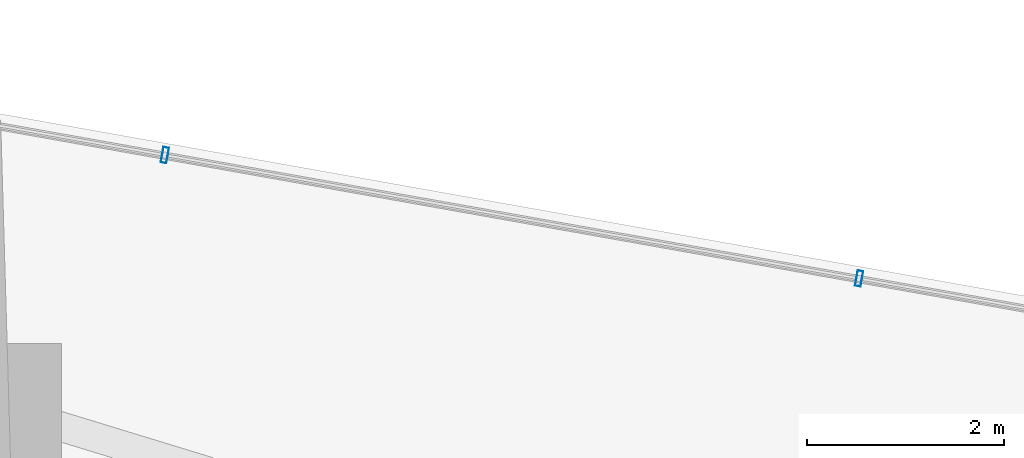
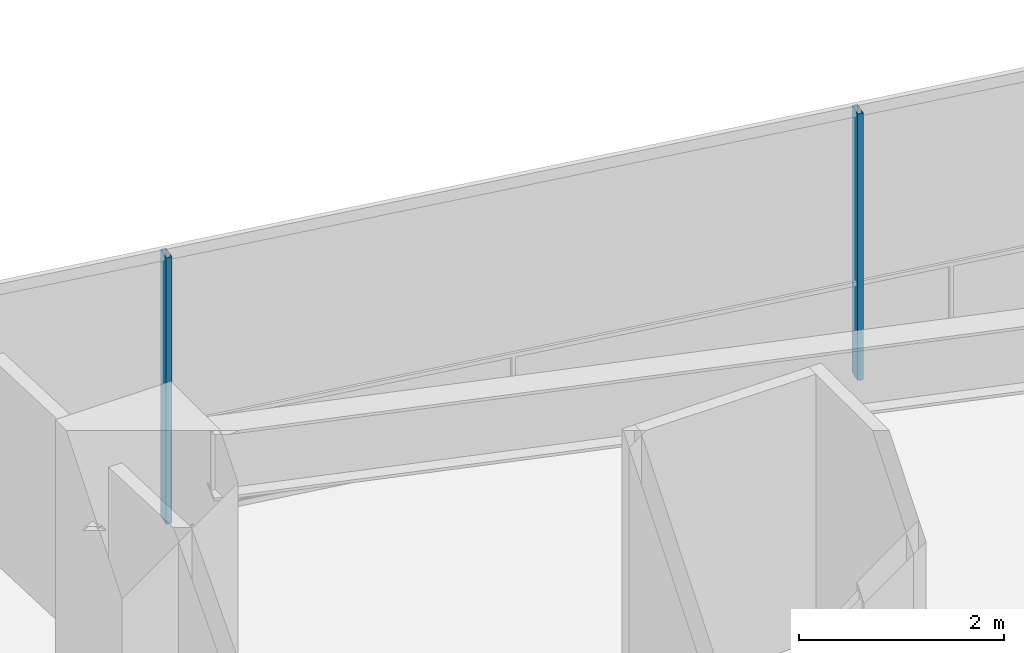
# One storey, part 23 of 33: 2 members, 1 element without a shape of its own.
"""IFC4 building model written with IfcOpenShell, lengths in metres."""

from ifc_helpers import new_model, si_unit, direction, frame, origin, origin_2d, place, context, subcontext, project, spatial, hollow_rectangle, extrude, material, layer, layer_set, material_profile, profile_set, type_object, element, aggregate, save


model = new_model("IFC4")

# Units and contexts
model_context = context("Model", 3, precision=1e-05, world=origin(), true_north=direction((0.0, 1.0)))
body_context = subcontext(model_context, "Body", "Model", "MODEL_VIEW")
ifc_project = project(units=[si_unit("LENGTHUNIT", "METRE"), si_unit("AREAUNIT", "SQUARE_METRE"), si_unit("VOLUMEUNIT", "CUBIC_METRE"), si_unit("PLANEANGLEUNIT", "RADIAN"), si_unit("MASSUNIT", "GRAM", prefix="KILO")], contexts=[model_context])

# Site, building, storey
site_placement = place(None, origin())
site = spatial("IfcSite", under=ifc_project, at=site_placement, CompositionType="ELEMENT")
building_placement = place(site_placement, origin())
building = spatial("IfcBuilding", under=site, at=building_placement, Name="Qarnah Convention Tower", CompositionType="ELEMENT")
storey_placement = place(building_placement, frame((0.0, 0.0, 30.449951171875)))
storey = spatial("IfcBuildingStorey", under=building, at=storey_placement, Name="L06", CompositionType="ELEMENT", Elevation=30.449951171875)

# Curtain wall, members
ifc_material_1 = material(Name="Tempered Low-E dark glass", Category="glass")
ifc_layer = layer(ifc_material_1, 0.16796875)
ifc_layer_set = layer_set([ifc_layer], Name="Tempered Low-E dark glass")
curtain_wall_type = type_object("IfcCurtainWallType", Name="CWS-01", PredefinedType="NOTDEFINED", material=ifc_layer_set)
curtain_wall_placement = place(storey_placement, origin())
curtain_wall = element("IfcCurtainWall", 1, at=curtain_wall_placement, inside=storey, type_object=curtain_wall_type, Name="L06 unitised curtain wall CW-L06-F1", PredefinedType="NOTDEFINED")
ifc_material_2 = material(Name="Black anodised aluminium", Category="aluminium")
ifc_material_profile = material_profile(ifc_material_2, hollow_rectangle(XDim=0.06005859375, YDim=0.159912109375, WallThickness=0.00390625, at=origin_2d()), Name="MUL-60X160")
ifc_profile_set = profile_set([ifc_material_profile], Name="Black anodised aluminium")
member_type = type_object("IfcMemberType", Name="MUL-T1", PredefinedType="MULLION", material=ifc_profile_set)
member_1_placement = place(storey_placement, frame((38.32177734375, 45.501220703125, 0.0), z_axis=(0.0, 0.0, 1.0), x_axis=(0.984566891232, -0.175008676041, 0.0)))
member_1 = element("IfcMember", 2, at=member_1_placement, type_object=member_type, Name="CW-L06-F1 mullion 3", PredefinedType="MULLION", context=body_context, shape_type="SweptSolid", body=[
    extrude(hollow_rectangle(XDim=0.06005859375, YDim=0.159912109375, WallThickness=0.00390625, at=origin_2d()), origin(), (0.0, 0.0, 1.0), 3.170166015625),
])
member_2_placement = place(storey_placement, frame((45.373291015625, 44.247802734375, 0.0), z_axis=(0.0, 0.0, 1.0), x_axis=(0.984566891232, -0.175008676041, 0.0)))
member_2 = element("IfcMember", 3, at=member_2_placement, type_object=member_type, Name="CW-L06-F1 mullion 4", PredefinedType="MULLION", context=body_context, shape_type="SweptSolid", body=[
    extrude(hollow_rectangle(XDim=0.06005859375, YDim=0.159912109375, WallThickness=0.00390625, at=origin_2d()), origin(), (0.0, 0.0, 1.0), 3.170166015625),
])
aggregate(curtain_wall, [member_1, member_2])

save(model, "model.ifc")
